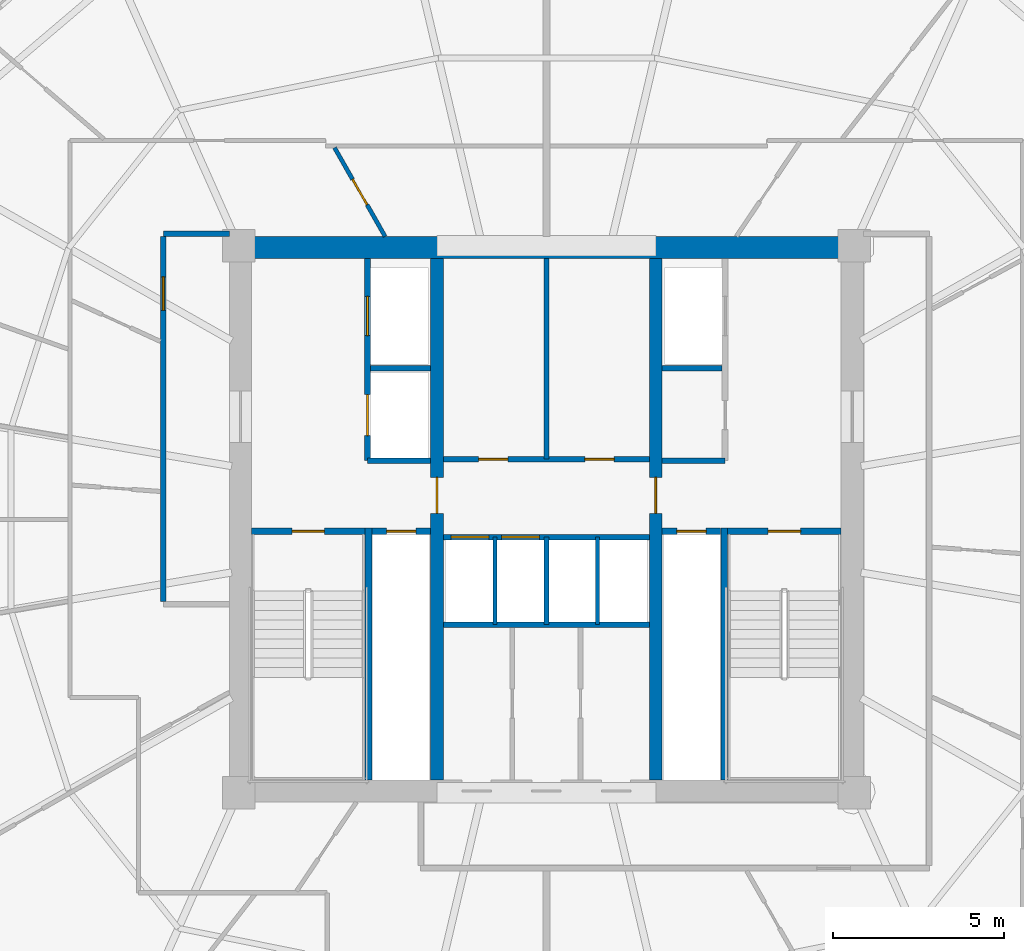
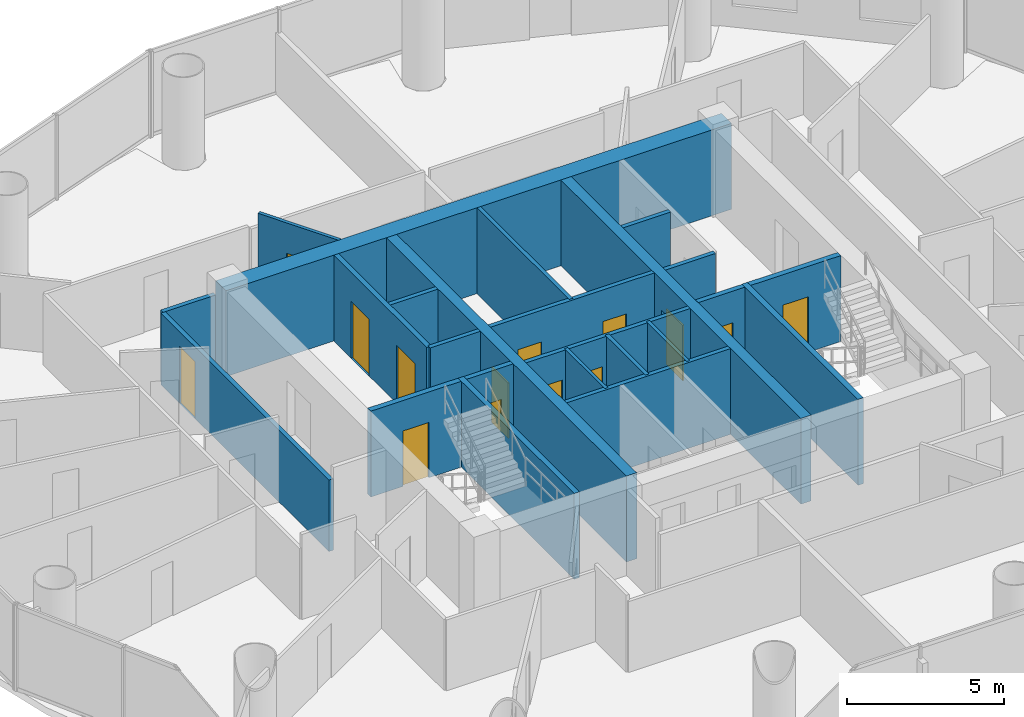
# One storey, part 21 of 26: 24 walls, 14 doors, 14 openings.
"""IFC4 building model written with IfcOpenShell, lengths in metres."""

from ifc_helpers import new_model, si_unit, direction, frame, frame_2d, origin, place, context, subcontext, project, spatial, rectangle, extrude, source, transform, mapped, material, layer, layer_set, type_object, element, fill, save


model = new_model("IFC4")

# Units and contexts
model_context = context("Model", 3, precision=1e-05, world=origin(), true_north=direction((-0.2419218956, 0.970295726276)))
body_context = subcontext(model_context, "Body", "Model", "MODEL_VIEW")
ifc_project = project(units=[si_unit("LENGTHUNIT", "METRE"), si_unit("AREAUNIT", "SQUARE_METRE"), si_unit("VOLUMEUNIT", "CUBIC_METRE"), si_unit("PLANEANGLEUNIT", "RADIAN"), si_unit("MASSUNIT", "GRAM", prefix="KILO")], contexts=[model_context])

# Site, building, storey
site_placement = place(None, origin())
site = spatial("IfcSite", under=ifc_project, at=site_placement, CompositionType="ELEMENT")
building_placement = place(site_placement, origin())
building = spatial("IfcBuilding", under=site, at=building_placement, Name="Cobrevalo Terracotta Tower", CompositionType="ELEMENT")
storey_placement = place(building_placement, frame((0.0, 0.0, 171.39990234375)))
storey = spatial("IfcBuildingStorey", under=building, at=storey_placement, Name="L45", CompositionType="ELEMENT", Elevation=171.39990234375)

# Walls
ifc_material_1 = material(Name="Concrete C55", Category="concrete")
ifc_layer_1 = layer(ifc_material_1, 0.64990234375)
ifc_layer_set_1 = layer_set([ifc_layer_1], Name="Concrete C55")
wall_type_1 = type_object("IfcWallType", Name="Core shear wall 650 mm Concrete C55", PredefinedType="SHEAR", material=ifc_layer_set_1)
wall_1_placement = place(storey_placement, frame((28.72509765625, 34.75, 0.0), z_axis=(0.0, 0.0, 1.0), x_axis=(1.0, 0.0, 0.0)))
element("IfcWall", 1, at=wall_1_placement, inside=storey, type_object=wall_type_1, Name="L45 north core shear wall", PredefinedType="SHEAR", context=body_context, shape_type="SweptSolid", body=[
    extrude(rectangle(XDim=18.5498046875, YDim=0.64990234375, at=frame_2d((9.27490234375, 0.0))), origin(), (0.0, 0.0, 1.0), 3.330078125),
])
ifc_material_2 = material(Name="Gypsum board on steel stud", Category="steel")
ifc_layer_2 = layer(ifc_material_2, 0.159912109375)
ifc_layer_set_2 = layer_set([ifc_layer_2], Name="Gypsum board on steel stud")
wall_type_2 = type_object("IfcWallType", Name="Fire-rated corridor acoustic partition wall 160 mm", PredefinedType="PARTITIONING", material=ifc_layer_set_2)
wall_2_placement = place(storey_placement, frame((32.860107421875, 31.219970703125, 0.0), z_axis=(0.0, 0.0, 1.0), x_axis=(1.0, 0.0, 0.0)))
element("IfcWall", 2, at=wall_2_placement, inside=storey, type_object=wall_type_2, Name="L45 interior partition IW-L45-FF1-M", PredefinedType="PARTITIONING", context=body_context, shape_type="SweptSolid", body=[
    extrude(rectangle(XDim=1.75, YDim=0.159912109375, at=frame_2d((0.875, 0.0))), origin(), (0.0, 0.0, 1.0), 3.330078125),
])
wall_3_placement = place(storey_placement, frame((32.77001953125, 28.52001953125, 0.0), z_axis=(0.0, 0.0, 1.0), x_axis=(1.0, 0.0, 0.0)))
element("IfcWall", 3, at=wall_3_placement, inside=storey, type_object=wall_type_2, Name="L45 interior partition IW-L45-FF1-S", PredefinedType="PARTITIONING", context=body_context, shape_type="SweptSolid", body=[
    extrude(rectangle(XDim=1.840087890625, YDim=0.159912109375, at=frame_2d((0.919921875, 0.0))), origin(), (0.0, 0.0, 1.0), 3.330078125),
])
wall_4_placement = place(storey_placement, frame((41.389892578125, 31.219970703125, 0.0), z_axis=(0.0, 0.0, 1.0), x_axis=(1.0, 0.0, 0.0)))
element("IfcWall", 4, at=wall_4_placement, inside=storey, type_object=wall_type_2, Name="L45 interior partition IW-L45-FF2-M", PredefinedType="PARTITIONING", context=body_context, shape_type="SweptSolid", body=[
    extrude(rectangle(XDim=1.75, YDim=0.159912109375, at=frame_2d((0.875, 0.0))), origin(), (0.0, 0.0, 1.0), 3.330078125),
])
wall_5_placement = place(storey_placement, frame((41.389892578125, 28.52001953125, 0.0), z_axis=(0.0, 0.0, 1.0), x_axis=(1.0, 0.0, 0.0)))
element("IfcWall", 5, at=wall_5_placement, inside=storey, type_object=wall_type_2, Name="L45 interior partition IW-L45-FF2-S", PredefinedType="PARTITIONING", context=body_context, shape_type="SweptSolid", body=[
    extrude(rectangle(XDim=1.840087890625, YDim=0.159912109375, at=frame_2d((0.919921875, 0.0))), origin(), (0.0, 0.0, 1.0), 3.330078125),
])

# Wall, openings, doors
wall_6_placement = place(storey_placement, frame((34.989990234375, 28.56005859375, 0.0), z_axis=(0.0, 0.0, 1.0), x_axis=(1.0, 0.0, 0.0)))
wall_6 = element("IfcWall", 6, at=wall_6_placement, inside=storey, type_object=wall_type_2, Name="L45 interior partition IW-L45-LB-S", PredefinedType="PARTITIONING", context=body_context, shape_type="SweptSolid", body=[
    extrude(rectangle(XDim=6.02001953125, YDim=0.159912109375, at=frame_2d((3.010009765625, 0.0))), origin(), (0.0, 0.0, 1.0), 3.330078125),
])
opening_1_placement = place(wall_6_placement, frame((1.02490234375, 0.0, 0.0)))
opening_1 = element("IfcOpeningElement", 7, at=opening_1_placement, cuts=wall_6, Name="Opening ID-07", PredefinedType="OPENING", context=body_context, shape_type="SweptSolid", body=[
    extrude(rectangle(XDim=0.860107421875, YDim=2.10009765625, at=frame_2d((0.43017578125, 1.050048828125))), frame((0.0, 0.08984375, 0.0), z_axis=(0.0, -1.0, 0.0), x_axis=(1.0, 0.0, 0.0)), (0.0, 0.0, 1.0), 0.179931640625),
])
opening_2_placement = place(wall_6_placement, frame((4.139892578125, 0.0, 0.0)))
opening_2 = element("IfcOpeningElement", 8, at=opening_2_placement, cuts=wall_6, Name="Opening ID-22", PredefinedType="OPENING", context=body_context, shape_type="SweptSolid", body=[
    extrude(rectangle(XDim=0.85009765625, YDim=2.10009765625, at=frame_2d((0.425048828125, 1.050048828125))), frame((0.0, 0.08984375, 0.0), z_axis=(0.0, -1.0, 0.0), x_axis=(1.0, 0.0, 0.0)), (0.0, 0.0, 1.0), 0.179931640625),
])
ifc_material_3 = material(Name="Powder-coated steel", Category="steel")
door_type_1 = type_object("IfcDoorType", Name="Riser shaft & meter closet fire access door 850x2100 EI 60", OperationType="NOTDEFINED", PredefinedType="DOOR", material=ifc_material_3)
shared_shape_1 = source(origin(), body_context, "Body", "SweptSolid", [
    extrude(rectangle(XDim=0.85009765625, YDim=2.10009765625, at=frame_2d((0.425048828125, 1.050048828125))), frame((0.0, 0.02490234375, 0.0), z_axis=(0.0, -1.0, 0.0), x_axis=(1.0, 0.0, 0.0)), (0.0, 0.0, 1.0), 0.050048828125),
])
door_1_placement = place(opening_2_placement, origin())
door_1 = element("IfcDoor", 9, at=door_1_placement, inside=storey, type_object=door_type_1, Name="L45 core service door Floor Telecom and Metering Plant", OperationType="SINGLE_SWING_RIGHT", OverallHeight=2.10009765625, OverallWidth=0.85009765625, PredefinedType="DOOR", context=body_context, shape_type="MappedRepresentation", body=[
    mapped(shared_shape_1, transform((0.0, 0.0, 0.0), scale=1.0)),
])
fill(opening_2, door_1)
ifc_material_4 = material(Name="Fire-rated moisture-sealed timber", Category="wood")
door_type_2 = type_object("IfcDoorType", Name="Core & podium fire-rated accessible WC door 860x2100 EI 60", OperationType="NOTDEFINED", PredefinedType="DOOR", material=ifc_material_4)
shared_shape_2 = source(origin(), body_context, "Body", "SweptSolid", [
    extrude(rectangle(XDim=0.860107421875, YDim=2.10009765625, at=frame_2d((0.43017578125, 1.050048828125))), frame((0.0, 0.02490234375, 0.0), z_axis=(0.0, -1.0, 0.0), x_axis=(1.0, 0.0, 0.0)), (0.0, 0.0, 1.0), 0.050048828125),
])
door_2_placement = place(opening_1_placement, origin())
door_2 = element("IfcDoor", 10, at=door_2_placement, inside=storey, type_object=door_type_2, Name="L45 core service door Core Accessible Toilet WC", OperationType="SINGLE_SWING_LEFT", OverallHeight=2.10009765625, OverallWidth=0.860107421875, PredefinedType="DOOR", context=body_context, shape_type="MappedRepresentation", body=[
    mapped(shared_shape_2, transform((0.0, 0.0, 0.0), scale=1.0)),
])
fill(opening_1, door_2)

wall_7_placement = place(storey_placement, frame((34.989990234375, 26.280029296875, 0.0), z_axis=(0.0, 0.0, 1.0), x_axis=(1.0, 0.0, 0.0)))
wall_7 = element("IfcWall", 11, at=wall_7_placement, inside=storey, type_object=wall_type_2, Name="L45 interior partition IW-L45-MB-N", PredefinedType="PARTITIONING", context=body_context, shape_type="SweptSolid", body=[
    extrude(rectangle(XDim=6.02001953125, YDim=0.159912109375, at=frame_2d((3.010009765625, 0.0))), origin(), (0.0, 0.0, 1.0), 3.330078125),
])
opening_3_placement = place(wall_7_placement, frame((0.22509765625, 0.0, 0.0)))
opening_3 = element("IfcOpeningElement", 12, at=opening_3_placement, cuts=wall_7, Name="Opening LD-01", PredefinedType="OPENING", context=body_context, shape_type="SweptSolid", body=[
    extrude(rectangle(XDim=1.10009765625, YDim=2.199951171875, at=frame_2d((0.550048828125, 1.10009765625))), frame((0.0, 0.08984375, 0.0), z_axis=(0.0, -1.0, 0.0), x_axis=(1.0, 0.0, 0.0)), (0.0, 0.0, 1.0), 0.179931640625),
])
opening_4_placement = place(wall_7_placement, frame((1.705078125, 0.0, 0.0)))
opening_4 = element("IfcOpeningElement", 13, at=opening_4_placement, cuts=wall_7, Name="Opening LD-01", PredefinedType="OPENING", context=body_context, shape_type="SweptSolid", body=[
    extrude(rectangle(XDim=1.10009765625, YDim=2.199951171875, at=frame_2d((0.550048828125, 1.10009765625))), frame((0.0, 0.08984375, 0.0), z_axis=(0.0, -1.0, 0.0), x_axis=(1.0, 0.0, 0.0)), (0.0, 0.0, 1.0), 0.179931640625),
])
ifc_material_5 = material(Name="Brushed stainless steel", Category="steel")
door_type_3 = type_object("IfcDoorType", Name="Passenger lift landing bi-parting sliding door 1100x2200 EI 90", OperationType="DOUBLE_DOOR_SLIDING", PredefinedType="DOOR", material=ifc_material_5)
shared_shape_3 = source(origin(), body_context, "Body", "SweptSolid", [
    extrude(rectangle(XDim=1.10009765625, YDim=2.199951171875, at=frame_2d((0.550048828125, 1.10009765625))), frame((0.0, 0.02490234375, 0.0), z_axis=(0.0, -1.0, 0.0), x_axis=(1.0, 0.0, 0.0)), (0.0, 0.0, 1.0), 0.050048828125),
])
door_3_placement = place(opening_3_placement, origin())
door_3 = element("IfcDoor", 14, at=door_3_placement, inside=storey, type_object=door_type_3, Name="L45 lift landing door PL-M1", OperationType="DOUBLE_DOOR_SLIDING", OverallHeight=2.199951171875, OverallWidth=1.10009765625, PredefinedType="DOOR", context=body_context, shape_type="MappedRepresentation", body=[
    mapped(shared_shape_3, transform((0.0, 0.0, 0.0), scale=1.0)),
])
fill(opening_3, door_3)
door_4_placement = place(opening_4_placement, origin())
door_4 = element("IfcDoor", 15, at=door_4_placement, inside=storey, type_object=door_type_3, Name="L45 lift landing door PL-M2", OperationType="DOUBLE_DOOR_SLIDING", OverallHeight=2.199951171875, OverallWidth=1.10009765625, PredefinedType="DOOR", context=body_context, shape_type="MappedRepresentation", body=[
    mapped(shared_shape_3, transform((0.0, 0.0, 0.0), scale=1.0)),
])
fill(opening_4, door_4)

# Wall
wall_8_placement = place(storey_placement, frame((34.989990234375, 23.719970703125, 0.0), z_axis=(0.0, 0.0, 1.0), x_axis=(1.0, 0.0, 0.0)))
element("IfcWall", 16, at=wall_8_placement, inside=storey, type_object=wall_type_2, Name="L45 interior partition IW-L45-MB-S", PredefinedType="PARTITIONING", context=body_context, shape_type="SweptSolid", body=[
    extrude(rectangle(XDim=6.02001953125, YDim=0.159912109375, at=frame_2d((3.010009765625, 0.0))), origin(), (0.0, 0.0, 1.0), 3.330078125),
])

# Wall, opening, door
wall_9_placement = place(storey_placement, frame((26.794921875, 24.39990234375, 0.0), z_axis=(0.0, 0.0, 1.0), x_axis=(0.0, 1.0, 0.0)))
wall_9 = element("IfcWall", 17, at=wall_9_placement, inside=storey, type_object=wall_type_2, Name="L45 interior partition IW-L45-COR-W", PredefinedType="PARTITIONING", context=body_context, shape_type="SweptSolid", body=[
    extrude(rectangle(XDim=10.675048828125, YDim=0.159912109375, at=frame_2d((5.33740234375, 0.0))), origin(), (0.0, 0.0, 1.0), 2.776123046875),
])
opening_5_placement = place(wall_9_placement, frame((8.513916015625, 0.0, 0.0)))
opening_5 = element("IfcOpeningElement", 18, at=opening_5_placement, cuts=wall_9, Name="Opening ID-05", PredefinedType="OPENING", context=body_context, shape_type="SweptSolid", body=[
    extrude(rectangle(XDim=0.97998046875, YDim=2.199951171875, at=frame_2d((0.489990234375, 1.10009765625))), frame((0.0, 0.08984375, 0.0), z_axis=(0.0, -1.0, 0.0), x_axis=(1.0, 0.0, 0.0)), (0.0, 0.0, 1.0), 0.179931640625),
])
ifc_material_6 = material(Name="Solid hardwood timber", Category="wood")
door_type_4 = type_object("IfcDoorType", Name="Residence entrance fire-rated acoustic timber door 980x2200 EI 60", OperationType="NOTDEFINED", PredefinedType="DOOR", material=ifc_material_6)
shared_shape_4 = source(origin(), body_context, "Body", "SweptSolid", [
    extrude(rectangle(XDim=0.97998046875, YDim=2.199951171875, at=frame_2d((0.489990234375, 1.10009765625))), frame((0.0, 0.02490234375, 0.0), z_axis=(0.0, -1.0, 0.0), x_axis=(1.0, 0.0, 0.0)), (0.0, 0.0, 1.0), 0.050048828125),
])
door_5_placement = place(opening_5_placement, origin())
door_5 = element("IfcDoor", 19, at=door_5_placement, inside=storey, type_object=door_type_4, Name="Flat L45A fire-rated apartment entrance door", OperationType="SINGLE_SWING_LEFT", OverallHeight=2.199951171875, OverallWidth=0.97998046875, PredefinedType="DOOR", context=body_context, shape_type="MappedRepresentation", body=[
    mapped(shared_shape_4, transform((0.0, 0.0, 0.0), scale=1.0)),
])
fill(opening_5, door_5)

# Wall
wall_10_placement = place(storey_placement, frame((26.794921875, 35.155029296875, 0.0), z_axis=(0.0, 0.0, 1.0), x_axis=(1.0, 0.0, 0.0)))
element("IfcWall", 20, at=wall_10_placement, inside=storey, type_object=wall_type_2, Name="L45 interior partition IW-L45-COR-WN-CAP", PredefinedType="PARTITIONING", context=body_context, shape_type="SweptSolid", body=[
    extrude(rectangle(XDim=1.93017578125, YDim=0.159912109375, at=frame_2d((0.965087890625, 0.0))), origin(), (0.0, 0.0, 1.0), 2.776123046875),
])

# Wall, opening, door
ifc_layer_3 = layer(ifc_material_2, 0.179931640625)
ifc_layer_set_3 = layer_set([ifc_layer_3], Name="Gypsum board on steel stud")
wall_type_3 = type_object("IfcWallType", Name="Fire-rated shaft & lobby acoustic partition wall 180 mm", PredefinedType="PARTITIONING", material=ifc_layer_set_3)
wall_11_placement = place(storey_placement, frame((32.89990234375, 26.449951171875, 0.0), z_axis=(0.0, 0.0, 1.0), x_axis=(1.0, 0.0, 0.0)))
wall_11 = element("IfcWall", 21, at=wall_11_placement, inside=storey, type_object=wall_type_3, Name="L45 interior partition IW-L45-RSW-N", PredefinedType="PARTITIONING", context=body_context, shape_type="SweptSolid", body=[
    extrude(rectangle(XDim=1.710205078125, YDim=0.179931640625, at=frame_2d((0.85498046875, 0.0))), origin(), (0.0, 0.0, 1.0), 3.330078125),
])
opening_6_placement = place(wall_11_placement, frame((0.429931640625, 0.0, 0.0)))
opening_6 = element("IfcOpeningElement", 22, at=opening_6_placement, cuts=wall_11, Name="Opening ID-22", PredefinedType="OPENING", context=body_context, shape_type="SweptSolid", body=[
    extrude(rectangle(XDim=0.85009765625, YDim=2.10009765625, at=frame_2d((0.425048828125, 1.050048828125))), frame((0.0, 0.10009765625, 0.0), z_axis=(0.0, -1.0, 0.0), x_axis=(1.0, 0.0, 0.0)), (0.0, 0.0, 1.0), 0.199951171875),
])
door_6_placement = place(opening_6_placement, origin())
door_6 = element("IfcDoor", 23, at=door_6_placement, inside=storey, type_object=door_type_1, Name="L45 riser access door RSW", OperationType="SINGLE_SWING_LEFT", OverallHeight=2.10009765625, OverallWidth=0.85009765625, PredefinedType="DOOR", context=body_context, shape_type="MappedRepresentation", body=[
    mapped(shared_shape_1, transform((0.0, 0.0, 0.0), scale=1.0)),
])
fill(opening_6, door_6)

wall_12_placement = place(storey_placement, frame((41.389892578125, 26.449951171875, 0.0), z_axis=(0.0, 0.0, 1.0), x_axis=(1.0, 0.0, 0.0)))
wall_12 = element("IfcWall", 24, at=wall_12_placement, inside=storey, type_object=wall_type_3, Name="L45 interior partition IW-L45-RSE-N", PredefinedType="PARTITIONING", context=body_context, shape_type="SweptSolid", body=[
    extrude(rectangle(XDim=1.710205078125, YDim=0.179931640625, at=frame_2d((0.85498046875, 0.0))), origin(), (0.0, 0.0, 1.0), 3.330078125),
])
opening_7_placement = place(wall_12_placement, frame((0.429931640625, 0.0, 0.0)))
opening_7 = element("IfcOpeningElement", 25, at=opening_7_placement, cuts=wall_12, Name="Opening ID-22", PredefinedType="OPENING", context=body_context, shape_type="SweptSolid", body=[
    extrude(rectangle(XDim=0.85009765625, YDim=2.10009765625, at=frame_2d((0.425048828125, 1.050048828125))), frame((0.0, 0.10009765625, 0.0), z_axis=(0.0, -1.0, 0.0), x_axis=(1.0, 0.0, 0.0)), (0.0, 0.0, 1.0), 0.199951171875),
])
door_7_placement = place(opening_7_placement, origin())
door_7 = element("IfcDoor", 26, at=door_7_placement, inside=storey, type_object=door_type_1, Name="L45 riser access door RSE", OperationType="SINGLE_SWING_RIGHT", OverallHeight=2.10009765625, OverallWidth=0.85009765625, PredefinedType="DOOR", context=body_context, shape_type="MappedRepresentation", body=[
    mapped(shared_shape_1, transform((0.0, 0.0, 0.0), scale=1.0)),
])
fill(opening_7, door_7)

# Wall, openings, doors
wall_13_placement = place(storey_placement, frame((32.77001953125, 28.52001953125, 0.0), z_axis=(0.0, 0.0, 1.0), x_axis=(0.0, 1.0, 0.0)))
wall_13 = element("IfcWall", 27, at=wall_13_placement, inside=storey, type_object=wall_type_3, Name="L45 interior partition IW-L45-FF1-W", PredefinedType="PARTITIONING", context=body_context, shape_type="SweptSolid", body=[
    extrude(rectangle(XDim=5.905029296875, YDim=0.179931640625, at=frame_2d((2.95263671875, 0.0))), origin(), (0.0, 0.0, 1.0), 3.330078125),
])
opening_8_placement = place(wall_13_placement, frame((3.655029296875, 0.0, 0.0)))
opening_8 = element("IfcOpeningElement", 28, at=opening_8_placement, cuts=wall_13, Name="Opening LD-02", PredefinedType="OPENING", context=body_context, shape_type="SweptSolid", body=[
    extrude(rectangle(XDim=1.14990234375, YDim=2.199951171875, at=frame_2d((0.574951171875, 1.10009765625))), frame((0.0, 0.10009765625, 0.0), z_axis=(0.0, -1.0, 0.0), x_axis=(1.0, 0.0, 0.0)), (0.0, 0.0, 1.0), 0.199951171875),
])
opening_9_placement = place(wall_13_placement, frame((0.72998046875, 0.0, 0.0)))
opening_9 = element("IfcOpeningElement", 29, at=opening_9_placement, cuts=wall_13, Name="Opening LD-03", PredefinedType="OPENING", context=body_context, shape_type="SweptSolid", body=[
    extrude(rectangle(XDim=1.199951171875, YDim=2.25, at=frame_2d((0.60009765625, 1.125))), frame((0.0, 0.10009765625, 0.0), z_axis=(0.0, -1.0, 0.0), x_axis=(1.0, 0.0, 0.0)), (0.0, 0.0, 1.0), 0.199951171875),
])
door_type_5 = type_object("IfcDoorType", Name="Firefighting lift landing bi-parting sliding door 1150x2200 EI 120", OperationType="DOUBLE_DOOR_SLIDING", PredefinedType="DOOR", material=ifc_material_5)
shared_shape_5 = source(origin(), body_context, "Body", "SweptSolid", [
    extrude(rectangle(XDim=1.14990234375, YDim=2.199951171875, at=frame_2d((0.574951171875, 1.10009765625))), frame((0.0, 0.02490234375, 0.0), z_axis=(0.0, -1.0, 0.0), x_axis=(1.0, 0.0, 0.0)), (0.0, 0.0, 1.0), 0.050048828125),
])
door_8_placement = place(opening_8_placement, origin())
door_8 = element("IfcDoor", 30, at=door_8_placement, inside=storey, type_object=door_type_5, Name="L45 lift landing door FF-1", OperationType="DOUBLE_DOOR_SLIDING", OverallHeight=2.199951171875, OverallWidth=1.14990234375, PredefinedType="DOOR", context=body_context, shape_type="MappedRepresentation", body=[
    mapped(shared_shape_5, transform((0.0, 0.0, 0.0), scale=1.0)),
])
fill(opening_8, door_8)
door_type_6 = type_object("IfcDoorType", Name="Service lift landing bi-parting sliding door 1200x2250 EI 120", OperationType="DOUBLE_DOOR_SLIDING", PredefinedType="DOOR", material=ifc_material_5)
shared_shape_6 = source(origin(), body_context, "Body", "SweptSolid", [
    extrude(rectangle(XDim=1.199951171875, YDim=2.25, at=frame_2d((0.60009765625, 1.125))), frame((0.0, 0.02490234375, 0.0), z_axis=(0.0, -1.0, 0.0), x_axis=(1.0, 0.0, 0.0)), (0.0, 0.0, 1.0), 0.050048828125),
])
door_9_placement = place(opening_9_placement, origin())
door_9 = element("IfcDoor", 31, at=door_9_placement, inside=storey, type_object=door_type_6, Name="L45 lift landing door SV-1", OperationType="DOUBLE_DOOR_SLIDING", OverallHeight=2.25, OverallWidth=1.199951171875, PredefinedType="DOOR", context=body_context, shape_type="MappedRepresentation", body=[
    mapped(shared_shape_6, transform((0.0, 0.0, 0.0), scale=1.0)),
])
fill(opening_9, door_9)

# Walls
ifc_material_7 = material(Name="Autoclaved aerated concrete block", Category="concrete")
ifc_layer_4 = layer(ifc_material_7, 0.1201171875)
ifc_layer_set_4 = layer_set([ifc_layer_4], Name="Autoclaved aerated concrete block")
wall_type_4 = type_object("IfcWallType", Name="Fire-rated wet-room & core service partition 120 mm", PredefinedType="PARTITIONING", material=ifc_layer_set_4)
for number, where, z_axis, x_axis, name in (
    (32, (36.5, 23.719970703125, 0.0), (0.0, 0.0, 1.0), (0.0, 1.0, 0.0), "L45 interior partition IW-L45-MB-D1"),
    (33, (39.5, 23.719970703125, 0.0), (0.0, 0.0, 1.0), (0.0, 1.0, 0.0), "L45 interior partition IW-L45-MB-D3"),
):
    element("IfcWall", number, at=place(storey_placement, frame(where, z_axis=z_axis, x_axis=x_axis)), inside=storey, type_object=wall_type_4, Name=name, PredefinedType="PARTITIONING", context=body_context, shape_type="SweptSolid", body=[
        extrude(rectangle(XDim=2.56005859375, YDim=0.1201171875, at=frame_2d((1.280029296875, 0.0))), origin(), (0.0, 0.0, 1.0), 3.330078125),
    ])

# Wall, opening, door
ifc_material_8 = material(Name="Concrete C50", Category="concrete")
ifc_layer_5 = layer(ifc_material_8, 0.3798828125)
ifc_layer_set_5 = layer_set([ifc_layer_5], Name="Concrete C50")
wall_type_5 = type_object("IfcWallType", Name="Internal core shear web wall 380 mm Concrete C50", PredefinedType="SHEAR", material=ifc_layer_set_5)
wall_14_placement = place(storey_placement, frame((34.800048828125, 19.175048828125, 0.0), z_axis=(0.0, 0.0, 1.0), x_axis=(0.0, 1.0, 0.0)))
wall_14 = element("IfcWall", 34, at=wall_14_placement, inside=storey, type_object=wall_type_5, Name="L45 internal core shear wall WEB-W", PredefinedType="SHEAR", context=body_context, shape_type="SweptSolid", body=[
    extrude(rectangle(XDim=15.25, YDim=0.3798828125, at=frame_2d((7.625, 0.0))), origin(), (0.0, 0.0, 1.0), 3.330078125),
])
opening_10_placement = place(wall_14_placement, frame((7.800048828125, 0.0, 0.0)))
opening_10 = element("IfcOpeningElement", 35, at=opening_10_placement, cuts=wall_14, Name="Opening ID-11", PredefinedType="OPENING", context=body_context, shape_type="SweptSolid", body=[
    extrude(rectangle(XDim=1.050048828125, YDim=2.14990234375, at=frame_2d((0.52490234375, 1.074951171875))), frame((0.0, 0.199951171875, 0.0), z_axis=(0.0, -1.0, 0.0), x_axis=(1.0, 0.0, 0.0)), (0.0, 0.0, 1.0), 0.39990234375),
])
ifc_material_9 = material(Name="Galvanized fire-rated steel", Category="steel")
door_type_7 = type_object("IfcDoorType", Name="Core concourse cross fire door 1050x2150 EI 90", OperationType="NOTDEFINED", PredefinedType="DOOR", material=ifc_material_9)
shared_shape_7 = source(origin(), body_context, "Body", "SweptSolid", [
    extrude(rectangle(XDim=1.050048828125, YDim=2.14990234375, at=frame_2d((0.52490234375, 1.074951171875))), frame((0.0, 0.02490234375, 0.0), z_axis=(0.0, -1.0, 0.0), x_axis=(1.0, 0.0, 0.0)), (0.0, 0.0, 1.0), 0.050048828125),
])
door_10_placement = place(opening_10_placement, origin())
door_10 = element("IfcDoor", 36, at=door_10_placement, inside=storey, type_object=door_type_7, Name="L45 west core concourse cross door", OperationType="SINGLE_SWING_LEFT", OverallHeight=2.14990234375, OverallWidth=1.050048828125, PredefinedType="DOOR", context=body_context, shape_type="MappedRepresentation", body=[
    mapped(shared_shape_7, transform((0.0, 0.0, 0.0), scale=1.0)),
])
fill(opening_10, door_10)

wall_15_placement = place(storey_placement, frame((41.199951171875, 19.175048828125, 0.0), z_axis=(0.0, 0.0, 1.0), x_axis=(0.0, 1.0, 0.0)))
wall_15 = element("IfcWall", 37, at=wall_15_placement, inside=storey, type_object=wall_type_5, Name="L45 internal core shear wall WEB-E", PredefinedType="SHEAR", context=body_context, shape_type="SweptSolid", body=[
    extrude(rectangle(XDim=15.25, YDim=0.3798828125, at=frame_2d((7.625, 0.0))), origin(), (0.0, 0.0, 1.0), 3.330078125),
])
opening_11_placement = place(wall_15_placement, frame((7.800048828125, 0.0, 0.0)))
opening_11 = element("IfcOpeningElement", 38, at=opening_11_placement, cuts=wall_15, Name="Opening ID-11", PredefinedType="OPENING", context=body_context, shape_type="SweptSolid", body=[
    extrude(rectangle(XDim=1.050048828125, YDim=2.14990234375, at=frame_2d((0.52490234375, 1.074951171875))), frame((0.0, 0.199951171875, 0.0), z_axis=(0.0, -1.0, 0.0), x_axis=(1.0, 0.0, 0.0)), (0.0, 0.0, 1.0), 0.39990234375),
])
door_11_placement = place(opening_11_placement, frame((1.050048828125, 0.0, 0.0), z_axis=(0.0, 0.0, 1.0), x_axis=(-1.0, 0.0, 0.0)))
door_11 = element("IfcDoor", 39, at=door_11_placement, inside=storey, type_object=door_type_7, Name="L45 east core concourse cross door", OperationType="SINGLE_SWING_RIGHT", OverallHeight=2.14990234375, OverallWidth=1.050048828125, PredefinedType="DOOR", context=body_context, shape_type="MappedRepresentation", body=[
    mapped(shared_shape_7, transform((0.0, 0.0, 0.0), scale=1.0)),
])
fill(opening_11, door_11)

# Walls
ifc_layer_6 = layer(ifc_material_7, 0.139892578125)
ifc_layer_set_6 = layer_set([ifc_layer_6], Name="Autoclaved aerated concrete block")
wall_type_6 = type_object("IfcWallType", Name="Moisture-resistant wet-room & core service partition 140 mm", PredefinedType="PARTITIONING", material=ifc_layer_set_6)
wall_16_placement = place(storey_placement, frame((38.0, 28.56005859375, 0.0), z_axis=(0.0, 0.0, 1.0), x_axis=(0.0, 1.0, 0.0)))
element("IfcWall", 40, at=wall_16_placement, inside=storey, type_object=wall_type_6, Name="L45 interior partition IW-L45-KVN-1", PredefinedType="PARTITIONING", context=body_context, shape_type="SweptSolid", body=[
    extrude(rectangle(XDim=5.864990234375, YDim=0.139892578125, at=frame_2d((2.9326171875, 0.0))), origin(), (0.0, 0.0, 1.0), 3.330078125),
])
wall_17_placement = place(storey_placement, frame((38.0, 23.719970703125, 0.0), z_axis=(0.0, 0.0, 1.0), x_axis=(0.0, 1.0, 0.0)))
element("IfcWall", 41, at=wall_17_placement, inside=storey, type_object=wall_type_6, Name="L45 interior partition IW-L45-MB-D2", PredefinedType="PARTITIONING", context=body_context, shape_type="SweptSolid", body=[
    extrude(rectangle(XDim=2.56005859375, YDim=0.139892578125, at=frame_2d((1.280029296875, 0.0))), origin(), (0.0, 0.0, 1.0), 3.330078125),
])

# Wall, opening, door
ifc_layer_7 = layer(ifc_material_2, 0.1201171875)
ifc_layer_set_7 = layer_set([ifc_layer_7], Name="Gypsum board on steel stud")
wall_type_7 = type_object("IfcWallType", Name="Residential internal acoustic stud partition 120 mm", PredefinedType="PARTITIONING", material=ifc_layer_set_7)
wall_18_placement = place(storey_placement, frame((33.283447265625, 35.074951171875, 0.0), z_axis=(0.0, 0.0, 1.0), x_axis=(-0.495179611311, 0.868790626412, 0.0)))
wall_18 = element("IfcWall", 42, at=wall_18_placement, inside=storey, type_object=wall_type_7, Name="L45 interior partition IW-L45-U1-IRAD1", PredefinedType="PARTITIONING", context=body_context, shape_type="SweptSolid", body=[
    extrude(rectangle(XDim=2.98828125, YDim=0.1201171875, at=frame_2d((1.494140625, 0.0))), origin(), (0.0, 0.0, 1.0), 3.330078125),
])
opening_12_placement = place(wall_18_placement, frame((1.064208984375, 0.0, 0.0)))
opening_12 = element("IfcOpeningElement", 43, at=opening_12_placement, cuts=wall_18, Name="Opening ID-19", PredefinedType="OPENING", context=body_context, shape_type="SweptSolid", body=[
    extrude(rectangle(XDim=0.860107421875, YDim=2.14990234375, at=frame_2d((0.43017578125, 1.074951171875))), frame((0.0, 0.070068359375, 0.0), z_axis=(0.0, -1.0, 0.0), x_axis=(1.0, 0.0, 0.0)), (0.0, 0.0, 1.0), 0.14013671875),
])
ifc_material_10 = material(Name="Moisture-sealed timber", Category="wood")
door_type_8 = type_object("IfcDoorType", Name="Suite bathroom internal timber door 860x2150", OperationType="NOTDEFINED", PredefinedType="DOOR", material=ifc_material_10)
shared_shape_8 = source(origin(), body_context, "Body", "SweptSolid", [
    extrude(rectangle(XDim=0.860107421875, YDim=2.14990234375, at=frame_2d((0.43017578125, 1.074951171875))), frame((0.0, 0.02490234375, 0.0), z_axis=(0.0, -1.0, 0.0), x_axis=(1.0, 0.0, 0.0)), (0.0, 0.0, 1.0), 0.050048828125),
])
door_12_placement = place(opening_12_placement, frame((0.860107421875, 0.0, 0.0), z_axis=(0.0, 0.0, 1.0), x_axis=(-1.0, 0.0, 0.0)))
door_12 = element("IfcDoor", 44, at=door_12_placement, inside=storey, type_object=door_type_8, Name="Flat L45A Primary Bathroom internal door", OperationType="SINGLE_SWING_RIGHT", OverallHeight=2.14990234375, OverallWidth=0.860107421875, PredefinedType="DOOR", context=body_context, shape_type="MappedRepresentation", body=[
    mapped(shared_shape_8, transform((0.0, 0.0, 0.0), scale=1.0)),
])
fill(opening_12, door_12)

# Wall
ifc_layer_8 = layer(ifc_material_8, 0.199951171875)
ifc_layer_set_8 = layer_set([ifc_layer_8], Name="Concrete C50")
wall_type_8 = type_object("IfcWallType", Name="Structural core & podium stair-shaft RC wall 200 mm Concrete C50", PredefinedType="SOLIDWALL", material=ifc_layer_set_8)
wall_19_placement = place(storey_placement, frame((32.794921875, 19.175048828125, 0.0), z_axis=(0.0, 0.0, 1.0), x_axis=(0.0, 1.0, 0.0)))
element("IfcWall", 45, at=wall_19_placement, inside=storey, type_object=wall_type_8, Name="L45 ST-1 east structural shaft wall", PredefinedType="SOLIDWALL", context=body_context, shape_type="SweptSolid", body=[
    extrude(rectangle(XDim=7.375, YDim=0.199951171875, at=frame_2d((3.6875, 0.0))), origin(), (0.0, 0.0, 1.0), 3.330078125),
])

# Wall, opening, door
wall_20_placement = place(storey_placement, frame((29.375, 26.449951171875, 0.0), z_axis=(0.0, 0.0, 1.0), x_axis=(1.0, 0.0, 0.0)))
wall_20 = element("IfcWall", 46, at=wall_20_placement, inside=storey, type_object=wall_type_8, Name="L45 ST-1 north structural shaft wall", PredefinedType="SOLIDWALL", context=body_context, shape_type="SweptSolid", body=[
    extrude(rectangle(XDim=3.320068359375, YDim=0.199951171875, at=frame_2d((1.66015625, 0.0))), origin(), (0.0, 0.0, 1.0), 3.330078125),
])
opening_13_placement = place(wall_20_placement, frame((1.18505859375, 0.0, 0.0)))
opening_13 = element("IfcOpeningElement", 47, at=opening_13_placement, cuts=wall_20, Name="Opening ID-04", PredefinedType="OPENING", context=body_context, shape_type="SweptSolid", body=[
    extrude(rectangle(XDim=0.949951171875, YDim=2.14990234375, at=frame_2d((0.47509765625, 1.074951171875))), frame((0.0, 0.10986328125, 0.0), z_axis=(0.0, -1.0, 0.0), x_axis=(1.0, 0.0, 0.0)), (0.0, 0.0, 1.0), 0.219970703125),
])
door_type_9 = type_object("IfcDoorType", Name="Stair & firefighting lobby fire door 950x2150 EI 90", OperationType="NOTDEFINED", PredefinedType="DOOR", material=ifc_material_9)
shared_shape_9 = source(origin(), body_context, "Body", "SweptSolid", [
    extrude(rectangle(XDim=0.949951171875, YDim=2.14990234375, at=frame_2d((0.47509765625, 1.074951171875))), frame((0.0, 0.02490234375, 0.0), z_axis=(0.0, -1.0, 0.0), x_axis=(1.0, 0.0, 0.0)), (0.0, 0.0, 1.0), 0.050048828125),
])
door_13_placement = place(opening_13_placement, origin())
door_13 = element("IfcDoor", 48, at=door_13_placement, inside=storey, type_object=door_type_9, Name="L45 protected stair ST1 fire door", OperationType="SINGLE_SWING_LEFT", OverallHeight=2.14990234375, OverallWidth=0.949951171875, PredefinedType="DOOR", context=body_context, shape_type="MappedRepresentation", body=[
    mapped(shared_shape_9, transform((0.0, 0.0, 0.0), scale=1.0)),
])
fill(opening_13, door_13)

# Wall
wall_21_placement = place(storey_placement, frame((43.205078125, 19.175048828125, 0.0), z_axis=(0.0, 0.0, 1.0), x_axis=(0.0, 1.0, 0.0)))
element("IfcWall", 49, at=wall_21_placement, inside=storey, type_object=wall_type_8, Name="L45 ST-2 west structural shaft wall", PredefinedType="SOLIDWALL", context=body_context, shape_type="SweptSolid", body=[
    extrude(rectangle(XDim=7.375, YDim=0.199951171875, at=frame_2d((3.6875, 0.0))), origin(), (0.0, 0.0, 1.0), 3.330078125),
])

# Wall, opening, door
wall_22_placement = place(storey_placement, frame((43.304931640625, 26.449951171875, 0.0), z_axis=(0.0, 0.0, 1.0), x_axis=(1.0, 0.0, 0.0)))
wall_22 = element("IfcWall", 50, at=wall_22_placement, inside=storey, type_object=wall_type_8, Name="L45 ST-2 north structural shaft wall", PredefinedType="SOLIDWALL", context=body_context, shape_type="SweptSolid", body=[
    extrude(rectangle(XDim=3.320068359375, YDim=0.199951171875, at=frame_2d((1.66015625, 0.0))), origin(), (0.0, 0.0, 1.0), 3.330078125),
])
opening_14_placement = place(wall_22_placement, frame((1.18505859375, 0.0, 0.0)))
opening_14 = element("IfcOpeningElement", 51, at=opening_14_placement, cuts=wall_22, Name="Opening ID-04", PredefinedType="OPENING", context=body_context, shape_type="SweptSolid", body=[
    extrude(rectangle(XDim=0.949951171875, YDim=2.14990234375, at=frame_2d((0.47509765625, 1.074951171875))), frame((0.0, 0.10986328125, 0.0), z_axis=(0.0, -1.0, 0.0), x_axis=(1.0, 0.0, 0.0)), (0.0, 0.0, 1.0), 0.219970703125),
])
door_14_placement = place(opening_14_placement, frame((0.949951171875, 0.0, 0.0), z_axis=(0.0, 0.0, 1.0), x_axis=(-1.0, 0.0, 0.0)))
door_14 = element("IfcDoor", 52, at=door_14_placement, inside=storey, type_object=door_type_9, Name="L45 protected stair ST2 fire door", OperationType="SINGLE_SWING_RIGHT", OverallHeight=2.14990234375, OverallWidth=0.949951171875, PredefinedType="DOOR", context=body_context, shape_type="MappedRepresentation", body=[
    mapped(shared_shape_9, transform((0.0, 0.0, 0.0), scale=1.0)),
])
fill(opening_14, door_14)

save(model, "model.ifc")
